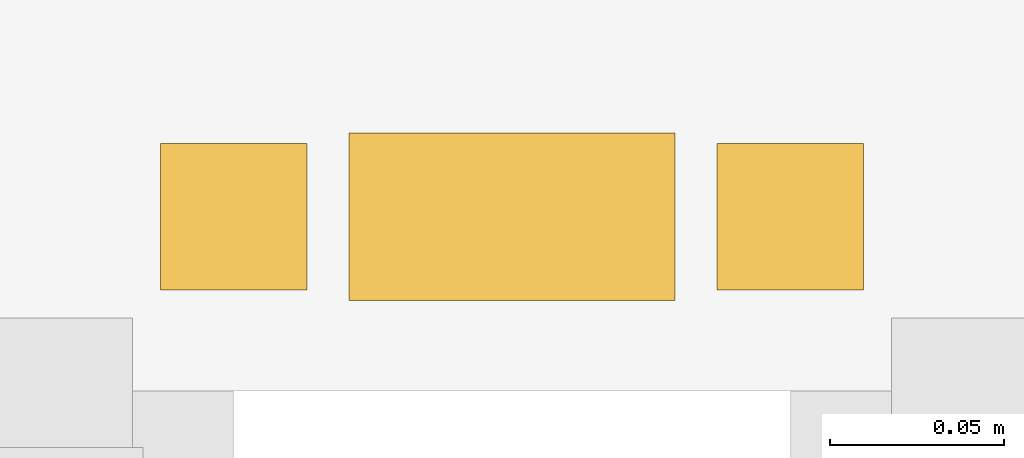
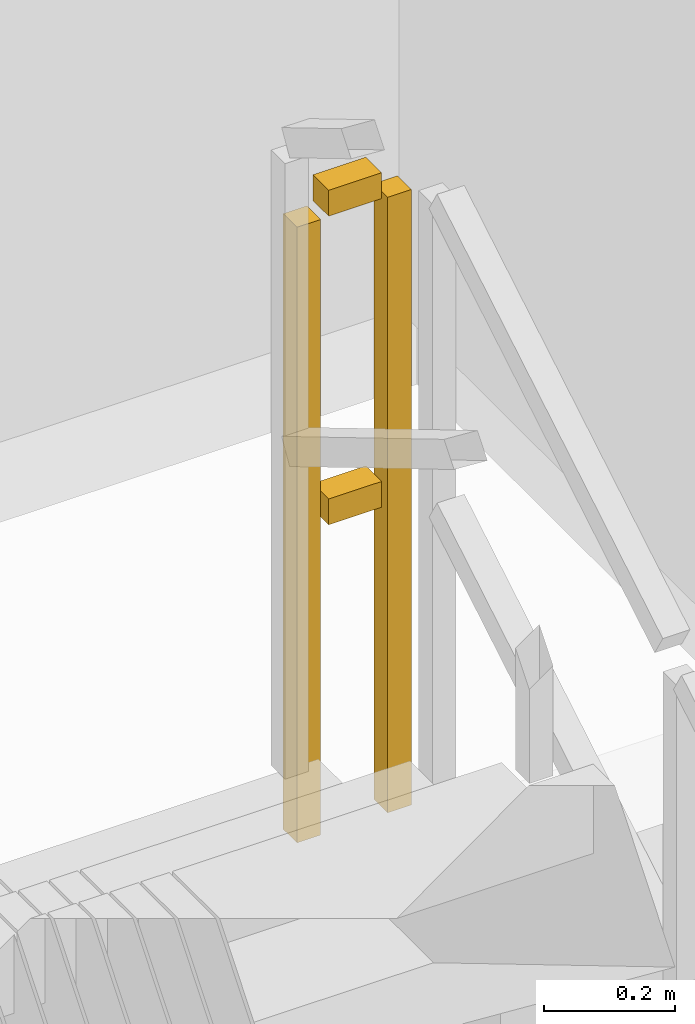
# One storey, part 14 of 14: 1 railing.
"""IFC4 building model written with IfcOpenShell, lengths in metres."""

from ifc_helpers import new_model, si_unit, direction, frame, origin, origin_2d, place, context, subcontext, project, spatial, rectangle, extrude, material, type_object, element, save


model = new_model("IFC4")

# Units and contexts
model_context = context("Model", 3, precision=1e-05, world=origin(), true_north=direction((0.0, 1.0)))
body_context = subcontext(model_context, "Body", "Model", "MODEL_VIEW")
ifc_project = project(units=[si_unit("LENGTHUNIT", "METRE"), si_unit("AREAUNIT", "SQUARE_METRE"), si_unit("VOLUMEUNIT", "CUBIC_METRE"), si_unit("PLANEANGLEUNIT", "RADIAN"), si_unit("MASSUNIT", "GRAM", prefix="KILO")], contexts=[model_context])

# Site, building, storey
site_placement = place(None, origin())
site = spatial("IfcSite", under=ifc_project, at=site_placement, CompositionType="ELEMENT")
building_placement = place(site_placement, origin())
building = spatial("IfcBuilding", under=site, at=building_placement, Name="Saelheon Loggia Tower", CompositionType="ELEMENT")
storey_placement = place(building_placement, frame((0.0, 0.0, 86.85009765625)))
storey = spatial("IfcBuildingStorey", under=building, at=storey_placement, Name="L27", CompositionType="ELEMENT", Elevation=86.85009765625)

# Railing
ifc_material = material(Name="Galvanised Steel S275 Stairwell Guardrail", Category="steel")
railing_type = type_object("IfcRailingType", Name="Guard_StairWell_RL_STG", PredefinedType="GUARDRAIL", material=ifc_material)
railing_placement = place(storey_placement, frame((42.489990234375, 32.739990234375, 1.5)))
element("IfcRailing", 1, at=railing_placement, inside=storey, type_object=railing_type, Name="L27 ST2 stair guard 2", PredefinedType="GUARDRAIL", context=body_context, shape_type="SweptSolid", body=[
    extrude(rectangle(XDim=0.048095703125, YDim=0.048095703125, at=origin_2d()), frame((-0.033203125, 0.0, 1.17578125), z_axis=(-1.0, 0.0, 0.0), x_axis=(0.0, -1.0, 0.0)), (0.0, 0.0, 1.0), 0.093505859375),
    extrude(rectangle(XDim=0.048095703125, YDim=0.048095703125, at=origin_2d()), frame((-0.033203125, 0.0, 0.60009765625), z_axis=(-1.0, 0.0, 0.0), x_axis=(0.0, -1.0, 0.0)), (0.0, 0.0, 1.0), 0.093505859375),
    extrude(rectangle(XDim=0.0419921875, YDim=0.0419921875, at=origin_2d()), origin(), (0.0, 0.0, 1.0), 1.14794921875),
    extrude(rectangle(XDim=0.0419921875, YDim=0.0419921875, at=origin_2d()), frame((-0.159912109375, 0.0, 0.0)), (0.0, 0.0, 1.0), 1.14794921875),
])

save(model, "model.ifc")
